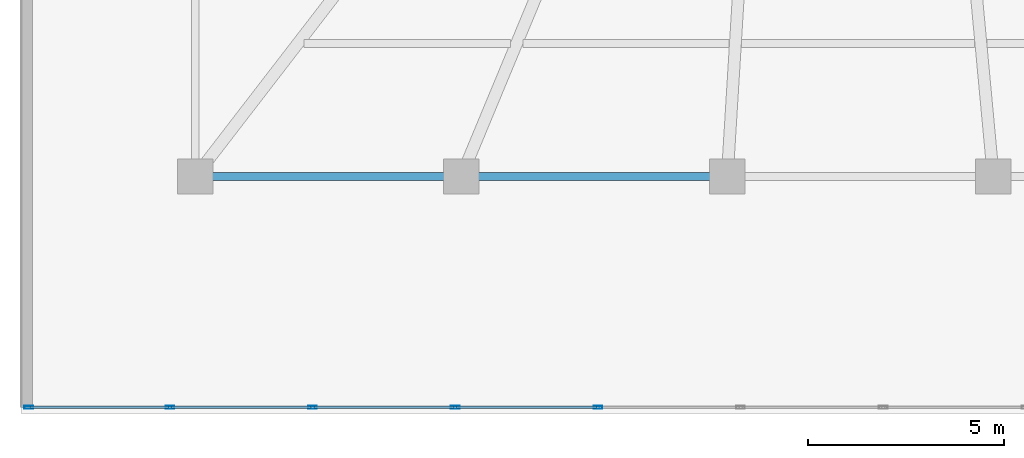
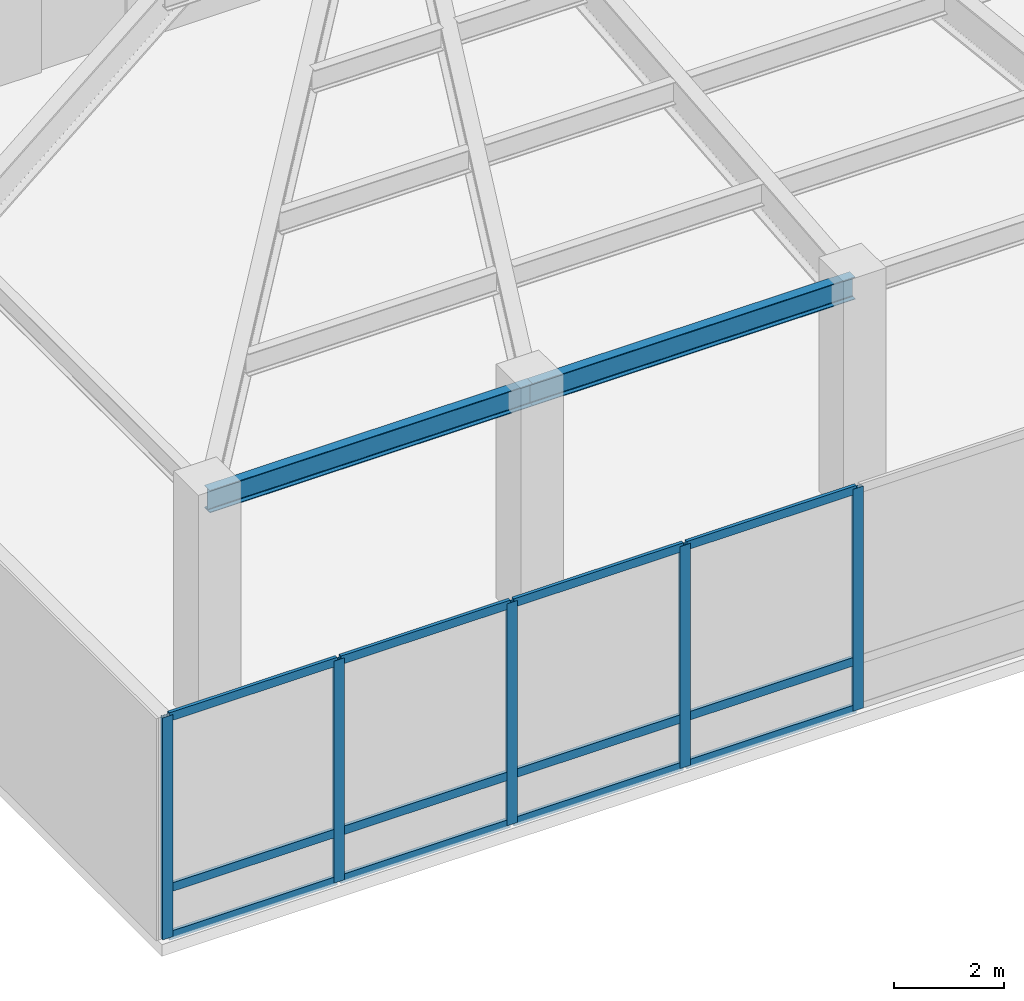
# One storey, part 2 of 19: 17 members, 2 beams, 1 element without a shape of its own.
"""IFC4 building model written with IfcOpenShell, lengths in metres."""

import ifcopenshell
import ifcopenshell.guid

model = None  # the IFC model being written
_history = None  # IfcOwnerHistory: only IFC2X3 demands one
_inside = {}  # id of a spatial element -> (the spatial element, [elements in it])
_under = {}  # id of a project, library or spatial element -> (it, [spatial elements below it])
_declared = {}  # id of a project -> (the project, [libraries it declares])
_typed = {}  # id of a type object -> (the type object, [elements of that type])
_made_of = {}  # id of a material, layer set ... -> (it, [elements and type objects made of it])


def new_model(schema):
    """Start an empty IFC model of exactly this schema.

    Asked for "IFC4X3", IfcOpenShell would pick the latest addendum, in which some entities
    have other attributes; the version numbers below select the first issue.
    IFC2X3 requires an IfcOwnerHistory on every rooted entity: one is made here for all.
    """
    global model, _history
    if schema == "IFC4X3":
        model = ifcopenshell.file(schema_version=(4, 3, 0, 0))
    else:
        model = ifcopenshell.file(schema=schema)
    _inside.clear()
    _under.clear()
    _declared.clear()
    _typed.clear()
    _made_of.clear()
    _history = None
    if model.schema == "IFC2X3":
        org = make("IfcOrganization", Name="unknown")
        user = make(
            "IfcPersonAndOrganization",
            ThePerson=make("IfcPerson", FamilyName="unknown"),
            TheOrganization=org,
        )
        app = make(
            "IfcApplication",
            ApplicationDeveloper=org,
            Version="unknown",
            ApplicationFullName="unknown",
            ApplicationIdentifier="unknown",
        )
        _history = make(
            "IfcOwnerHistory",
            OwningUser=user,
            OwningApplication=app,
            ChangeAction="ADDED",
            CreationDate=0,
        )
    return model


def make(cls, **values):
    """One entity of the class cls with the attributes given. An attribute that is None is left unset."""
    return model.create_entity(
        cls, **{name: value for name, value in values.items() if value is not None}
    )


def rooted(cls, **values):
    """An entity with a GlobalId (a new one), such as an element, a storey or a relation."""
    return make(cls, GlobalId=ifcopenshell.guid.new(), OwnerHistory=_history, **values)


def si_unit(unit_type, name, prefix=None):
    """IfcSIUnit, for example si_unit("LENGTHUNIT", "METRE", prefix="MILLI")."""
    return make("IfcSIUnit", UnitType=unit_type, Prefix=prefix, Name=name)


def assignment(units):
    """IfcUnitAssignment: the units of a project."""
    return None if units is None else make("IfcUnitAssignment", Units=units)


def point(xyz):
    """IfcCartesianPoint."""
    return None if xyz is None else make("IfcCartesianPoint", Coordinates=xyz)


def direction(xyz):
    """IfcDirection."""
    return None if xyz is None else make("IfcDirection", DirectionRatios=xyz)


def frame(location, z_axis=None, x_axis=None):
    """IfcAxis2Placement3D, a coordinate frame: its origin and axes. An axis left out is left unset."""
    return make(
        "IfcAxis2Placement3D",
        Location=point(location),
        Axis=direction(z_axis),
        RefDirection=direction(x_axis),
    )


def frame_2d(location, x_axis=None):
    """IfcAxis2Placement2D, a coordinate frame in the plane: its origin and x axis."""
    return make(
        "IfcAxis2Placement2D", Location=point(location), RefDirection=direction(x_axis)
    )


def origin():
    """The frame at (0, 0, 0) with its axes left unset."""
    return frame((0.0, 0.0, 0.0))


def origin_2d():
    """The frame at (0, 0) in the plane with its x axis left unset."""
    return frame_2d((0.0, 0.0))


def place(relative_to, where):
    """IfcLocalPlacement: puts the frame where relative to a parent placement (None: the world)."""
    return make(
        "IfcLocalPlacement", PlacementRelTo=relative_to, RelativePlacement=where
    )


def context(
    kind, dimensions, precision=None, world=None, true_north=None, identifier=None
):
    """IfcGeometricRepresentationContext, for example the 3D "Model" context."""
    return make(
        "IfcGeometricRepresentationContext",
        ContextIdentifier=identifier,
        ContextType=kind,
        CoordinateSpaceDimension=dimensions,
        Precision=precision,
        WorldCoordinateSystem=world,
        TrueNorth=true_north,
    )


def subcontext(parent, identifier, kind, view, scale=None):
    """IfcGeometricRepresentationSubContext, for example "Body" below "Model"."""
    return make(
        "IfcGeometricRepresentationSubContext",
        ContextIdentifier=identifier,
        ContextType=kind,
        ParentContext=parent,
        TargetScale=scale,
        TargetView=view,
    )


def project(units=None, contexts=None):
    """IfcProject with its units and contexts."""
    return rooted(
        "IfcProject",
        Name="project",
        RepresentationContexts=contexts,
        UnitsInContext=assignment(units),
    )


def spatial(cls, under=None, at=None, **own):
    """A site, building, storey or space (cls), placed at a placement, below another one or the project."""
    s = rooted(cls, ObjectPlacement=at, **own)
    if under is not None:
        _under.setdefault(under.id(), (under, []))[1].append(s)
    return s


def profile(cls, at=None, kind="AREA", **sizes):
    """A parametric profile (cls). Its sizes go by their IFC names, for example OverallWidth=200.0."""
    return make(cls, ProfileType=kind, Position=at, **sizes)


def hollow_rectangle(**sizes):
    """IfcRectangleHollowProfileDef."""
    return profile("IfcRectangleHollowProfileDef", **sizes)


def i_section(**sizes):
    """IfcIShapeProfileDef."""
    return profile("IfcIShapeProfileDef", **sizes)


def extrude(swept, where, along, depth):
    """IfcExtrudedAreaSolid: the profile swept, set in the frame where, extruded along a direction by depth."""
    return make(
        "IfcExtrudedAreaSolid",
        SweptArea=swept,
        Position=where,
        ExtrudedDirection=direction(along),
        Depth=depth,
    )


def shape(context_of_items, identifier, shape_type, items):
    """IfcShapeRepresentation: the items that make up one representation, for example the "Body"."""
    return make(
        "IfcShapeRepresentation",
        ContextOfItems=context_of_items,
        RepresentationIdentifier=identifier,
        RepresentationType=shape_type,
        Items=items,
    )


def material(Name=None, Category=None):
    """IfcMaterial."""
    return make("IfcMaterial", Name=Name, Category=Category)


def material_profile(
    of_material, cross_section, Name=None, Category=None, Priority=None
):
    """IfcMaterialProfile: a cross section and its material."""
    return make(
        "IfcMaterialProfile",
        Name=Name,
        Material=of_material,
        Profile=cross_section,
        Priority=Priority,
        Category=Category,
    )


def profile_set(profiles, Name=None, composite=None):
    """IfcMaterialProfileSet."""
    return make(
        "IfcMaterialProfileSet",
        Name=Name,
        MaterialProfiles=profiles,
        CompositeProfile=composite,
    )


def made_of(thing, what):
    """Note that an element or type object is made of a material, layer set ...; save() writes the relation."""
    if what is not None:
        _made_of.setdefault(what.id(), (what, []))[1].append(thing)
    return thing


def type_object(cls, material=None, **own):
    """A type object (cls), such as IfcWallType, which elements share."""
    return made_of(rooted(cls, **own), material)


def element(
    cls,
    number,
    at=None,
    inside=None,
    cuts=None,
    type_object=None,
    material=None,
    context=None,
    identifier="Body",
    shape_type=None,
    held_by="IfcProductDefinitionShape",
    body=None,
    shapes=None,
    **own,
):
    """One element of the class cls, such as IfcWall. Its Tag is "e" and its number.

    at: its placement. inside: the storey or other place that contains it. cuts: it is an
    opening in that element (IfcRelVoidsElement). A single representation is given by context,
    identifier, shape_type and body (its items); several are given by shapes. held_by: the class
    of the entity that holds the representations. save() writes the other relations.
    """
    e = rooted(cls, Tag="e%d" % number, ObjectPlacement=at, **own)
    if body is not None:
        shapes = [shape(context, identifier, shape_type, body)]
    if shapes is not None:
        e.Representation = make(held_by, Representations=shapes)
    if inside is not None:
        _inside.setdefault(inside.id(), (inside, []))[1].append(e)
    if cuts is not None:
        rooted(
            "IfcRelVoidsElement", RelatingBuildingElement=cuts, RelatedOpeningElement=e
        )
    if type_object is not None:
        _typed.setdefault(type_object.id(), (type_object, []))[1].append(e)
    return made_of(e, material)


def aggregate(whole, parts):
    """IfcRelAggregates: a whole, such as a stair, and the parts it consists of."""
    return rooted("IfcRelAggregates", RelatingObject=whole, RelatedObjects=parts)


def save(model, path):
    """Write the relations noted so far, then the file.

    IfcRelAggregates (storeys below a building ...), IfcRelContainedInSpatialStructure (elements
    in a storey), IfcRelDefinesByType, IfcRelAssociatesMaterial and IfcRelDeclares: one each for
    every whole, place, type object, material and project.
    """
    for whole, parts in _under.values():
        aggregate(whole, parts)
    for where, things in _inside.values():
        rooted(
            "IfcRelContainedInSpatialStructure",
            RelatedElements=things,
            RelatingStructure=where,
        )
    for kind, things in _typed.values():
        rooted("IfcRelDefinesByType", RelatedObjects=things, RelatingType=kind)
    for what, things in _made_of.values():
        rooted("IfcRelAssociatesMaterial", RelatedObjects=things, RelatingMaterial=what)
    for by, libraries in _declared.values():
        rooted("IfcRelDeclares", RelatingContext=by, RelatedDefinitions=libraries)
    model.write(path)


model = new_model("IFC4")

# Units and contexts
model_context = context("Model", 3, precision=1e-05, world=origin(), true_north=direction((0.0, 1.0)))
body_context = subcontext(model_context, "Body", "Model", "MODEL_VIEW")
ifc_project = project(units=[si_unit("LENGTHUNIT", "METRE"), si_unit("AREAUNIT", "SQUARE_METRE"), si_unit("VOLUMEUNIT", "CUBIC_METRE"), si_unit("PLANEANGLEUNIT", "RADIAN"), si_unit("MASSUNIT", "GRAM", prefix="KILO")], contexts=[model_context])

# Site, building, storey
site_placement = place(None, origin())
site = spatial("IfcSite", under=ifc_project, at=site_placement, CompositionType="ELEMENT")
building_placement = place(site_placement, origin())
building = spatial("IfcBuilding", under=site, at=building_placement, Name="Yelkora Congress Tower", CompositionType="ELEMENT")
storey_placement = place(building_placement, frame((0.0, 0.0, 5.199951171875)))
storey = spatial("IfcBuildingStorey", under=building, at=storey_placement, Name="L01", CompositionType="ELEMENT", Elevation=5.199951171875)

# Beams
ifc_material_1 = material(Name="Steel S355J2", Category="steel")
ifc_material_profile_1 = material_profile(ifc_material_1, i_section(OverallWidth=0.199951171875, OverallDepth=0.5, WebThickness=0.01025390625, FlangeThickness=0.01611328125, FilletRadius=0.02099609375, at=origin_2d()), Name="IPE 500")
ifc_profile_set_1 = profile_set([ifc_material_profile_1], Name="Steel S355J2")
beam_type = type_object("IfcBeamType", Name="BM-SPAN-IPE500B", PredefinedType="BEAM", material=ifc_profile_set_1)
for number, where, z_axis, x_axis, name in (
    (1, (4.449951171875, 6.050048828125, 4.68994140625), (1.0, 0.0, 0.0), (0.0, 1.0, 0.0), "L01 Perimeter Beam 2"),
    (2, (11.239990234375, 6.050048828125, 4.68994140625), (1.0, 0.0, 0.0), (0.0, 1.0, 0.0), "L01 Perimeter Beam 3"),
):
    element("IfcBeam", number, at=place(storey_placement, frame(where, z_axis=z_axis, x_axis=x_axis)), inside=storey, type_object=beam_type, Name=name, PredefinedType="BEAM", context=body_context, shape_type="SweptSolid", body=[
        extrude(i_section(OverallWidth=0.199951171875, OverallDepth=0.5, WebThickness=0.01025390625, FlangeThickness=0.01611328125, FilletRadius=0.02099609375, at=origin_2d()), origin(), (0.0, 0.0, 1.0), 6.7900390625),
    ])

# Curtain wall, members
ifc_material_2 = material(Name="Anodised aluminium and insulated glass", Category="aluminium")
curtain_wall_type = type_object("IfcCurtainWallType", Name="CW-SYS-POD", PredefinedType="NOTDEFINED", material=ifc_material_2)
curtain_wall_placement = place(storey_placement, origin())
curtain_wall = element("IfcCurtainWall", 3, at=curtain_wall_placement, inside=storey, type_object=curtain_wall_type, Name="L01 Podium South Curtain Wall", PredefinedType="NOTDEFINED")
ifc_material_3 = material(Name="Anodised aluminium 6063-T6", Category="aluminium")
ifc_material_profile_2 = material_profile(ifc_material_3, hollow_rectangle(XDim=0.074951171875, YDim=0.219970703125, WallThickness=0.0048828125, at=origin_2d()), Name="ALU 75x220x5")
ifc_profile_set_2 = profile_set([ifc_material_profile_2], Name="Anodised aluminium 6063-T6")
member_type_1 = type_object("IfcMemberType", Name="MEM-ML-POD", PredefinedType="MULLION", material=ifc_profile_set_2)
member_1_placement = place(storey_placement, frame((14.7275390625, 0.159912109375, 0.0), z_axis=(0.0, 0.0, 1.0), x_axis=(0.0, -1.0, 0.0)))
member_1 = element("IfcMember", 4, at=member_1_placement, type_object=member_type_1, Name="CW-POD mullion 18", PredefinedType="MULLION", context=body_context, shape_type="SweptSolid", body=[
    extrude(hollow_rectangle(XDim=0.074951171875, YDim=0.219970703125, WallThickness=0.0048828125, at=origin_2d()), origin(), (0.0, 0.0, 1.0), 4.93994140625),
])
member_2_placement = place(storey_placement, frame((11.085693359375, 0.159912109375, 0.0), z_axis=(0.0, 0.0, 1.0), x_axis=(0.0, -1.0, 0.0)))
member_2 = element("IfcMember", 5, at=member_2_placement, type_object=member_type_1, Name="CW-POD mullion 19", PredefinedType="MULLION", context=body_context, shape_type="SweptSolid", body=[
    extrude(hollow_rectangle(XDim=0.074951171875, YDim=0.219970703125, WallThickness=0.0048828125, at=origin_2d()), origin(), (0.0, 0.0, 1.0), 4.93994140625),
])
member_3_placement = place(storey_placement, frame((7.44384765625, 0.159912109375, 0.0), z_axis=(0.0, 0.0, 1.0), x_axis=(0.0, -1.0, 0.0)))
member_3 = element("IfcMember", 6, at=member_3_placement, type_object=member_type_1, Name="CW-POD mullion 20", PredefinedType="MULLION", context=body_context, shape_type="SweptSolid", body=[
    extrude(hollow_rectangle(XDim=0.074951171875, YDim=0.219970703125, WallThickness=0.0048828125, at=origin_2d()), origin(), (0.0, 0.0, 1.0), 4.93994140625),
])
member_4_placement = place(storey_placement, frame((3.802001953125, 0.159912109375, 0.0), z_axis=(0.0, 0.0, 1.0), x_axis=(0.0, -1.0, 0.0)))
member_4 = element("IfcMember", 7, at=member_4_placement, type_object=member_type_1, Name="CW-POD mullion 21", PredefinedType="MULLION", context=body_context, shape_type="SweptSolid", body=[
    extrude(hollow_rectangle(XDim=0.074951171875, YDim=0.219970703125, WallThickness=0.0048828125, at=origin_2d()), origin(), (0.0, 0.0, 1.0), 4.93994140625),
])
member_5_placement = place(storey_placement, frame((0.197509765625, 0.159912109375, 0.0), z_axis=(0.0, 0.0, 1.0), x_axis=(0.0, -1.0, 0.0)))
member_5 = element("IfcMember", 8, at=member_5_placement, type_object=member_type_1, Name="CW-POD mullion 22", PredefinedType="MULLION", context=body_context, shape_type="SweptSolid", body=[
    extrude(hollow_rectangle(XDim=0.074951171875, YDim=0.219970703125, WallThickness=0.0048828125, at=origin_2d()), origin(), (0.0, 0.0, 1.0), 4.93994140625),
])
ifc_material_profile_3 = material_profile(ifc_material_3, hollow_rectangle(XDim=0.070068359375, YDim=0.18994140625, WallThickness=0.00390625, at=origin_2d()), Name="ALU 70x190x4")
ifc_profile_set_3 = profile_set([ifc_material_profile_3], Name="Anodised aluminium 6063-T6")
member_type_2 = type_object("IfcMemberType", Name="MEM-TR-POD", PredefinedType="USERDEFINED", material=ifc_profile_set_3)
member_6_placement = place(storey_placement, frame((14.690185546875, 0.159912109375, 0.03515625), z_axis=(-1.0, 0.0, 0.0), x_axis=(0.0, -1.0, 0.0)))
member_6 = element("IfcMember", 9, at=member_6_placement, type_object=member_type_2, Name="CW-POD transom 18.1", ObjectType="TRANSOM", PredefinedType="USERDEFINED", context=body_context, shape_type="SweptSolid", body=[
    extrude(hollow_rectangle(XDim=0.070068359375, YDim=0.18994140625, WallThickness=0.00390625, at=origin_2d()), origin(), (0.0, 0.0, 1.0), 3.56689453125),
])
member_7_placement = place(storey_placement, frame((14.690185546875, 0.159912109375, 1.10009765625), z_axis=(-1.0, 0.0, 0.0), x_axis=(0.0, -1.0, 0.0)))
member_7 = element("IfcMember", 10, at=member_7_placement, type_object=member_type_2, Name="CW-POD transom 18.2", ObjectType="TRANSOM", PredefinedType="USERDEFINED", context=body_context, shape_type="SweptSolid", body=[
    extrude(hollow_rectangle(XDim=0.070068359375, YDim=0.18994140625, WallThickness=0.00390625, at=origin_2d()), origin(), (0.0, 0.0, 1.0), 3.56689453125),
])
member_8_placement = place(storey_placement, frame((14.690185546875, 0.159912109375, 4.905029296875), z_axis=(-1.0, 0.0, 0.0), x_axis=(0.0, -1.0, 0.0)))
member_8 = element("IfcMember", 11, at=member_8_placement, type_object=member_type_2, Name="CW-POD transom 18.3", ObjectType="TRANSOM", PredefinedType="USERDEFINED", context=body_context, shape_type="SweptSolid", body=[
    extrude(hollow_rectangle(XDim=0.070068359375, YDim=0.18994140625, WallThickness=0.00390625, at=origin_2d()), origin(), (0.0, 0.0, 1.0), 3.56689453125),
])
member_9_placement = place(storey_placement, frame((11.048095703125, 0.159912109375, 0.03515625), z_axis=(-1.0, 0.0, 0.0), x_axis=(0.0, -1.0, 0.0)))
member_9 = element("IfcMember", 12, at=member_9_placement, type_object=member_type_2, Name="CW-POD transom 19.1", ObjectType="TRANSOM", PredefinedType="USERDEFINED", context=body_context, shape_type="SweptSolid", body=[
    extrude(hollow_rectangle(XDim=0.070068359375, YDim=0.18994140625, WallThickness=0.00390625, at=origin_2d()), origin(), (0.0, 0.0, 1.0), 3.56689453125),
])
member_10_placement = place(storey_placement, frame((11.048095703125, 0.159912109375, 1.10009765625), z_axis=(-1.0, 0.0, 0.0), x_axis=(0.0, -1.0, 0.0)))
member_10 = element("IfcMember", 13, at=member_10_placement, type_object=member_type_2, Name="CW-POD transom 19.2", ObjectType="TRANSOM", PredefinedType="USERDEFINED", context=body_context, shape_type="SweptSolid", body=[
    extrude(hollow_rectangle(XDim=0.070068359375, YDim=0.18994140625, WallThickness=0.00390625, at=origin_2d()), origin(), (0.0, 0.0, 1.0), 3.56689453125),
])
member_11_placement = place(storey_placement, frame((11.048095703125, 0.159912109375, 4.905029296875), z_axis=(-1.0, 0.0, 0.0), x_axis=(0.0, -1.0, 0.0)))
member_11 = element("IfcMember", 14, at=member_11_placement, type_object=member_type_2, Name="CW-POD transom 19.3", ObjectType="TRANSOM", PredefinedType="USERDEFINED", context=body_context, shape_type="SweptSolid", body=[
    extrude(hollow_rectangle(XDim=0.070068359375, YDim=0.18994140625, WallThickness=0.00390625, at=origin_2d()), origin(), (0.0, 0.0, 1.0), 3.56689453125),
])
member_12_placement = place(storey_placement, frame((7.40625, 0.159912109375, 0.03515625), z_axis=(-1.0, 0.0, 0.0), x_axis=(0.0, -1.0, 0.0)))
member_12 = element("IfcMember", 15, at=member_12_placement, type_object=member_type_2, Name="CW-POD transom 20.1", ObjectType="TRANSOM", PredefinedType="USERDEFINED", context=body_context, shape_type="SweptSolid", body=[
    extrude(hollow_rectangle(XDim=0.070068359375, YDim=0.18994140625, WallThickness=0.00390625, at=origin_2d()), origin(), (0.0, 0.0, 1.0), 3.56689453125),
])
member_13_placement = place(storey_placement, frame((7.40625, 0.159912109375, 1.10009765625), z_axis=(-1.0, 0.0, 0.0), x_axis=(0.0, -1.0, 0.0)))
member_13 = element("IfcMember", 16, at=member_13_placement, type_object=member_type_2, Name="CW-POD transom 20.2", ObjectType="TRANSOM", PredefinedType="USERDEFINED", context=body_context, shape_type="SweptSolid", body=[
    extrude(hollow_rectangle(XDim=0.070068359375, YDim=0.18994140625, WallThickness=0.00390625, at=origin_2d()), origin(), (0.0, 0.0, 1.0), 3.56689453125),
])
member_14_placement = place(storey_placement, frame((7.40625, 0.159912109375, 4.905029296875), z_axis=(-1.0, 0.0, 0.0), x_axis=(0.0, -1.0, 0.0)))
member_14 = element("IfcMember", 17, at=member_14_placement, type_object=member_type_2, Name="CW-POD transom 20.3", ObjectType="TRANSOM", PredefinedType="USERDEFINED", context=body_context, shape_type="SweptSolid", body=[
    extrude(hollow_rectangle(XDim=0.070068359375, YDim=0.18994140625, WallThickness=0.00390625, at=origin_2d()), origin(), (0.0, 0.0, 1.0), 3.56689453125),
])
member_15_placement = place(storey_placement, frame((3.764404296875, 0.159912109375, 0.03515625), z_axis=(-1.0, 0.0, 0.0), x_axis=(0.0, -1.0, 0.0)))
member_15 = element("IfcMember", 18, at=member_15_placement, type_object=member_type_2, Name="CW-POD transom 21.1", ObjectType="TRANSOM", PredefinedType="USERDEFINED", context=body_context, shape_type="SweptSolid", body=[
    extrude(hollow_rectangle(XDim=0.070068359375, YDim=0.18994140625, WallThickness=0.00390625, at=origin_2d()), origin(), (0.0, 0.0, 1.0), 3.529296875),
])
member_16_placement = place(storey_placement, frame((3.764404296875, 0.159912109375, 1.10009765625), z_axis=(-1.0, 0.0, 0.0), x_axis=(0.0, -1.0, 0.0)))
member_16 = element("IfcMember", 19, at=member_16_placement, type_object=member_type_2, Name="CW-POD transom 21.2", ObjectType="TRANSOM", PredefinedType="USERDEFINED", context=body_context, shape_type="SweptSolid", body=[
    extrude(hollow_rectangle(XDim=0.070068359375, YDim=0.18994140625, WallThickness=0.00390625, at=origin_2d()), origin(), (0.0, 0.0, 1.0), 3.529296875),
])
member_17_placement = place(storey_placement, frame((3.764404296875, 0.159912109375, 4.905029296875), z_axis=(-1.0, 0.0, 0.0), x_axis=(0.0, -1.0, 0.0)))
member_17 = element("IfcMember", 20, at=member_17_placement, type_object=member_type_2, Name="CW-POD transom 21.3", ObjectType="TRANSOM", PredefinedType="USERDEFINED", context=body_context, shape_type="SweptSolid", body=[
    extrude(hollow_rectangle(XDim=0.070068359375, YDim=0.18994140625, WallThickness=0.00390625, at=origin_2d()), origin(), (0.0, 0.0, 1.0), 3.529296875),
])
aggregate(curtain_wall, [member_1, member_2, member_3, member_4, member_5, member_6, member_7, member_8, member_9, member_10, member_11, member_12, member_13, member_14, member_15, member_16, member_17])

save(model, "model.ifc")
